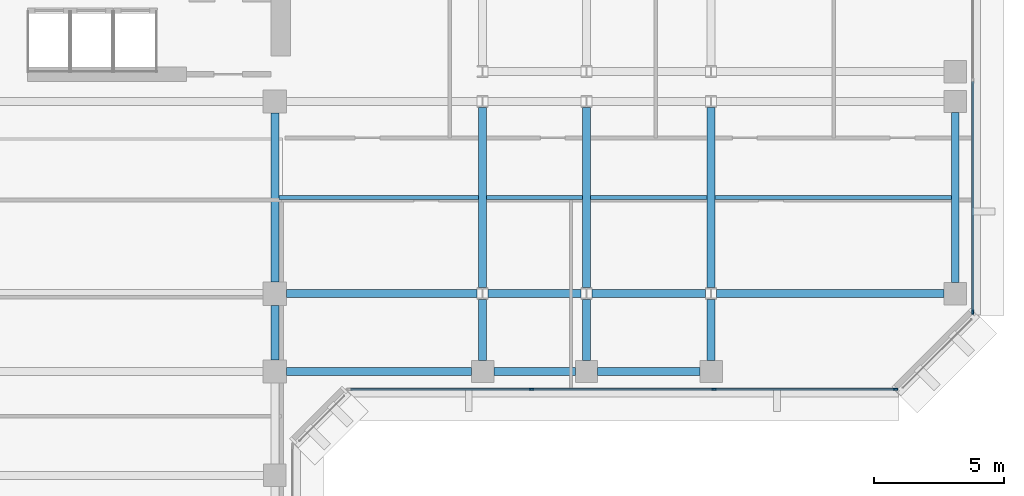
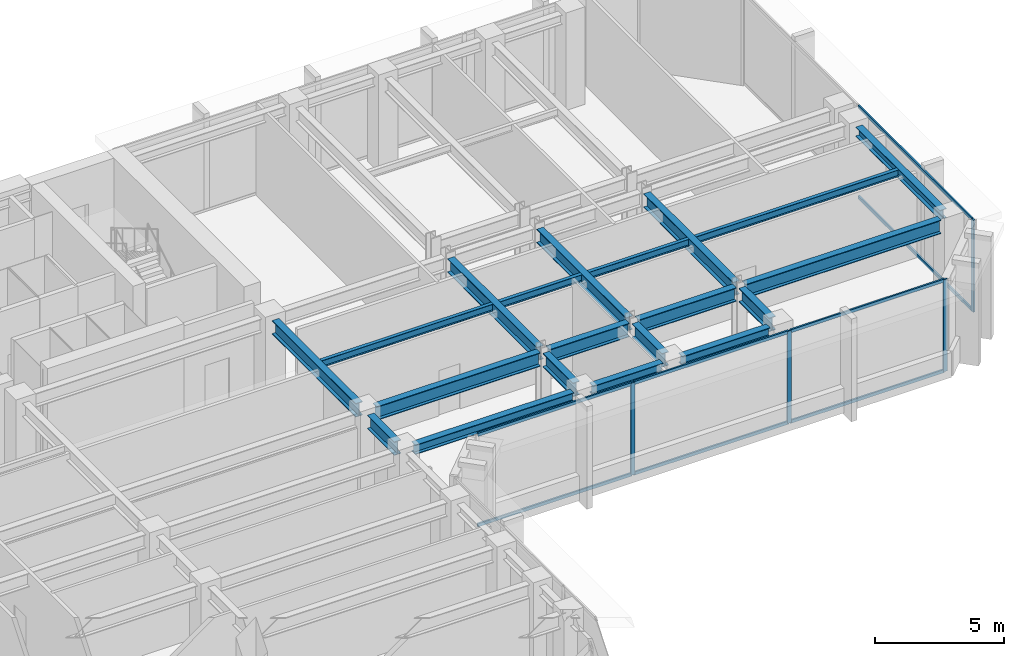
# One storey, part 3 of 13: 20 beams, 12 members, 2 elements without a shape of their own.
"""IFC4 building model written with IfcOpenShell, lengths in metres."""

from ifc_helpers import new_model, si_unit, direction, frame, origin, origin_2d, place, context, subcontext, project, spatial, rectangle, i_section, extrude, material, layer, layer_set, material_profile, profile_set, type_object, element, aggregate, save


model = new_model("IFC4")

# Units and contexts
model_context = context("Model", 3, precision=1e-05, world=origin(), true_north=direction((0.0, 1.0)))
body_context = subcontext(model_context, "Body", "Model", "MODEL_VIEW")
ifc_project = project(units=[si_unit("LENGTHUNIT", "METRE"), si_unit("AREAUNIT", "SQUARE_METRE"), si_unit("VOLUMEUNIT", "CUBIC_METRE"), si_unit("PLANEANGLEUNIT", "RADIAN"), si_unit("MASSUNIT", "GRAM", prefix="KILO")], contexts=[model_context])

# Site, building, storey
site_placement = place(None, origin())
site = spatial("IfcSite", under=ifc_project, at=site_placement, CompositionType="ELEMENT")
building_placement = place(site_placement, origin())
building = spatial("IfcBuilding", under=site, at=building_placement, Name="Kefirva Bronze Tower", CompositionType="ELEMENT")
storey_placement = place(building_placement, frame((0.0, 0.0, 130.35009765625)))
storey = spatial("IfcBuildingStorey", under=building, at=storey_placement, Name="L31", CompositionType="ELEMENT", Elevation=130.35009765625)

# Curtain wall, members
ifc_material_1 = material(Name="Bronze anodised aluminium", Category="aluminium")
ifc_layer = layer(ifc_material_1, 0.199951171875, Name="Bronze anodised aluminium")
ifc_layer_set = layer_set([ifc_layer], Name="Bronze anodised aluminium")
curtain_wall_type = type_object("IfcCurtainWallType", Name="Unitised Bronze Ribbon Curtain Wall Zone 2", PredefinedType="USERDEFINED", material=ifc_layer_set)
curtain_wall_1_placement = place(storey_placement, origin())
curtain_wall_1 = element("IfcCurtainWall", 1, at=curtain_wall_1_placement, inside=storey, type_object=curtain_wall_type, Name="L31 Curtain Wall 2", ObjectType="UNITISED CURTAIN WALL", PredefinedType="USERDEFINED")
ifc_material_profile_1 = material_profile(ifc_material_1, rectangle(XDim=0.074951171875, YDim=0.179931640625, at=origin_2d()), Name="ALU 75x180")
ifc_profile_set_1 = profile_set([ifc_material_profile_1], Name="Bronze anodised aluminium")
member_type_1 = type_object("IfcMemberType", Name="Bronze Mullion 75x180", PredefinedType="MULLION", material=ifc_profile_set_1)
member_1_placement = place(storey_placement, frame((33.0849609375, 22.1201171875, 0.0), z_axis=(0.0, 0.0, 1.0), x_axis=(0.0, 1.0, 0.0)))
member_1 = element("IfcMember", 2, at=member_1_placement, type_object=member_type_1, Name="CW-02 mullion 2", PredefinedType="MULLION", context=body_context, shape_type="SweptSolid", body=[
    extrude(rectangle(XDim=0.074951171875, YDim=0.179931640625, at=origin_2d()), origin(), (0.0, 0.0, 1.0), 4.369873046875),
])
member_2_placement = place(storey_placement, frame((40.114990234375, 22.1201171875, 0.0), z_axis=(0.0, 0.0, 1.0), x_axis=(0.0, 1.0, 0.0)))
member_2 = element("IfcMember", 3, at=member_2_placement, type_object=member_type_1, Name="CW-02 mullion 3", PredefinedType="MULLION", context=body_context, shape_type="SweptSolid", body=[
    extrude(rectangle(XDim=0.074951171875, YDim=0.179931640625, at=origin_2d()), origin(), (0.0, 0.0, 1.0), 4.369873046875),
])
member_3_placement = place(storey_placement, frame((47.107421875, 22.1201171875, 0.0), z_axis=(0.0, 0.0, 1.0), x_axis=(0.0, 1.0, 0.0)))
member_3 = element("IfcMember", 4, at=member_3_placement, type_object=member_type_1, Name="CW-02 mullion 4", PredefinedType="MULLION", context=body_context, shape_type="SweptSolid", body=[
    extrude(rectangle(XDim=0.074951171875, YDim=0.179931640625, at=origin_2d()), origin(), (0.0, 0.0, 1.0), 4.369873046875),
])

# Curtain wall, member
curtain_wall_2_placement = place(storey_placement, origin())
curtain_wall_2 = element("IfcCurtainWall", 5, at=curtain_wall_2_placement, inside=storey, type_object=curtain_wall_type, Name="L31 Curtain Wall 3", ObjectType="UNITISED CURTAIN WALL", PredefinedType="USERDEFINED")
member_4_placement = place(storey_placement, frame((50.080078125, 25.092529296875, 0.0), z_axis=(0.0, 0.0, 1.0), x_axis=(-1.0, 0.0, 0.0)))
member_4 = element("IfcMember", 6, at=member_4_placement, type_object=member_type_1, Name="CW-02 mullion 1", PredefinedType="MULLION", context=body_context, shape_type="SweptSolid", body=[
    extrude(rectangle(XDim=0.074951171875, YDim=0.179931640625, at=origin_2d()), origin(), (0.0, 0.0, 1.0), 4.369873046875),
])

# Member
ifc_material_profile_2 = material_profile(ifc_material_1, rectangle(XDim=0.074951171875, YDim=0.14990234375, at=origin_2d()), Name="ALU 75x150")
ifc_profile_set_2 = profile_set([ifc_material_profile_2], Name="Bronze anodised aluminium")
member_type_2 = type_object("IfcMemberType", Name="Bronze Transom 75x150", PredefinedType="USERDEFINED", material=ifc_profile_set_2)
member_5_placement = place(storey_placement, frame((26.1298828125, 22.1201171875, 0.037353515625), z_axis=(1.0, 0.0, 0.0), x_axis=(0.0, 1.0, 0.0)))
member_5 = element("IfcMember", 7, at=member_5_placement, type_object=member_type_2, Name="CW-02 transom 1.1", ObjectType="TRANSOM", PredefinedType="USERDEFINED", context=body_context, shape_type="SweptSolid", body=[
    extrude(rectangle(XDim=0.074951171875, YDim=0.14990234375, at=origin_2d()), origin(), (0.0, 0.0, 1.0), 6.917724609375),
])

member_6_placement = place(storey_placement, frame((26.1298828125, 22.1201171875, 4.33251953125), z_axis=(1.0, 0.0, 0.0), x_axis=(0.0, 1.0, 0.0)))
member_6 = element("IfcMember", 8, at=member_6_placement, type_object=member_type_2, Name="CW-02 transom 1.2", ObjectType="TRANSOM", PredefinedType="USERDEFINED", context=body_context, shape_type="SweptSolid", body=[
    extrude(rectangle(XDim=0.074951171875, YDim=0.14990234375, at=origin_2d()), origin(), (0.0, 0.0, 1.0), 6.917724609375),
])

member_7_placement = place(storey_placement, frame((33.12255859375, 22.1201171875, 0.037353515625), z_axis=(1.0, 0.0, 0.0), x_axis=(0.0, 1.0, 0.0)))
member_7 = element("IfcMember", 9, at=member_7_placement, type_object=member_type_2, Name="CW-02 transom 2.1", ObjectType="TRANSOM", PredefinedType="USERDEFINED", context=body_context, shape_type="SweptSolid", body=[
    extrude(rectangle(XDim=0.074951171875, YDim=0.14990234375, at=origin_2d()), origin(), (0.0, 0.0, 1.0), 6.954833984375),
])

member_8_placement = place(storey_placement, frame((33.12255859375, 22.1201171875, 4.33251953125), z_axis=(1.0, 0.0, 0.0), x_axis=(0.0, 1.0, 0.0)))
member_8 = element("IfcMember", 10, at=member_8_placement, type_object=member_type_2, Name="CW-02 transom 2.2", ObjectType="TRANSOM", PredefinedType="USERDEFINED", context=body_context, shape_type="SweptSolid", body=[
    extrude(rectangle(XDim=0.074951171875, YDim=0.14990234375, at=origin_2d()), origin(), (0.0, 0.0, 1.0), 6.954833984375),
])

member_9_placement = place(storey_placement, frame((40.152587890625, 22.1201171875, 0.037353515625), z_axis=(1.0, 0.0, 0.0), x_axis=(0.0, 1.0, 0.0)))
member_9 = element("IfcMember", 11, at=member_9_placement, type_object=member_type_2, Name="CW-02 transom 3.1", ObjectType="TRANSOM", PredefinedType="USERDEFINED", context=body_context, shape_type="SweptSolid", body=[
    extrude(rectangle(XDim=0.074951171875, YDim=0.14990234375, at=origin_2d()), origin(), (0.0, 0.0, 1.0), 6.91748046875),
])

member_10_placement = place(storey_placement, frame((40.152587890625, 22.1201171875, 4.33251953125), z_axis=(1.0, 0.0, 0.0), x_axis=(0.0, 1.0, 0.0)))
member_10 = element("IfcMember", 12, at=member_10_placement, type_object=member_type_2, Name="CW-02 transom 3.2", ObjectType="TRANSOM", PredefinedType="USERDEFINED", context=body_context, shape_type="SweptSolid", body=[
    extrude(rectangle(XDim=0.074951171875, YDim=0.14990234375, at=origin_2d()), origin(), (0.0, 0.0, 1.0), 6.91748046875),
])

aggregate(curtain_wall_1, [member_1, member_2, member_3, member_5, member_6, member_7, member_8, member_9, member_10])

member_11_placement = place(storey_placement, frame((50.080078125, 25.1298828125, 0.037353515625), z_axis=(0.0, 1.0, 0.0), x_axis=(-1.0, 0.0, 0.0)))
member_11 = element("IfcMember", 13, at=member_11_placement, type_object=member_type_2, Name="CW-02 transom 1.1", ObjectType="TRANSOM", PredefinedType="USERDEFINED", context=body_context, shape_type="SweptSolid", body=[
    extrude(rectangle(XDim=0.074951171875, YDim=0.14990234375, at=origin_2d()), origin(), (0.0, 0.0, 1.0), 8.83251953125),
])

member_12_placement = place(storey_placement, frame((50.080078125, 25.1298828125, 4.33251953125), z_axis=(0.0, 1.0, 0.0), x_axis=(-1.0, 0.0, 0.0)))
member_12 = element("IfcMember", 14, at=member_12_placement, type_object=member_type_2, Name="CW-02 transom 1.2", ObjectType="TRANSOM", PredefinedType="USERDEFINED", context=body_context, shape_type="SweptSolid", body=[
    extrude(rectangle(XDim=0.074951171875, YDim=0.14990234375, at=origin_2d()), origin(), (0.0, 0.0, 1.0), 8.83251953125),
])

aggregate(curtain_wall_2, [member_4, member_11, member_12])

# Beams
ifc_material_2 = material(Name="Steel S355", Category="steel")
ifc_material_profile_3 = material_profile(ifc_material_2, i_section(OverallWidth=0.159912109375, OverallDepth=0.330078125, WebThickness=0.007568359375, FlangeThickness=0.011474609375, at=origin_2d()), Name="IPE 330")
ifc_profile_set_3 = profile_set([ifc_material_profile_3], Name="Steel S355")
beam_type_1 = type_object("IfcBeamType", Name="Steel Floor Joist IPE 330", PredefinedType="JOIST", material=ifc_profile_set_3)
beam_1_placement = place(storey_placement, frame((23.35009765625, 29.5, 4.204833984375), z_axis=(1.0, 0.0, 0.0), x_axis=(0.0, 1.0, 0.0)))
element("IfcBeam", 15, at=beam_1_placement, inside=storey, type_object=beam_type_1, Name="L31 JST-L31-23-295", PredefinedType="JOIST", context=body_context, shape_type="SweptSolid", body=[
    extrude(i_section(OverallWidth=0.159912109375, OverallDepth=0.330078125, WebThickness=0.007568359375, FlangeThickness=0.011474609375, at=origin_2d()), origin(), (0.0, 0.0, 1.0), 7.699951171875),
])
beam_2_placement = place(storey_placement, frame((31.35009765625, 29.5, 4.204833984375), z_axis=(1.0, 0.0, 0.0), x_axis=(0.0, 1.0, 0.0)))
element("IfcBeam", 16, at=beam_2_placement, inside=storey, type_object=beam_type_1, Name="L31 JST-L31-31-295", PredefinedType="JOIST", context=body_context, shape_type="SweptSolid", body=[
    extrude(i_section(OverallWidth=0.159912109375, OverallDepth=0.330078125, WebThickness=0.007568359375, FlangeThickness=0.011474609375, at=origin_2d()), origin(), (0.0, 0.0, 1.0), 3.699951171875),
])
beam_3_placement = place(storey_placement, frame((35.35009765625, 29.5, 4.204833984375), z_axis=(1.0, 0.0, 0.0), x_axis=(0.0, 1.0, 0.0)))
element("IfcBeam", 17, at=beam_3_placement, inside=storey, type_object=beam_type_1, Name="L31 JST-L31-35-295", PredefinedType="JOIST", context=body_context, shape_type="SweptSolid", body=[
    extrude(i_section(OverallWidth=0.159912109375, OverallDepth=0.330078125, WebThickness=0.007568359375, FlangeThickness=0.011474609375, at=origin_2d()), origin(), (0.0, 0.0, 1.0), 4.5),
])
beam_4_placement = place(storey_placement, frame((40.14990234375, 29.5, 4.204833984375), z_axis=(1.0, 0.0, 0.0), x_axis=(0.0, 1.0, 0.0)))
element("IfcBeam", 18, at=beam_4_placement, inside=storey, type_object=beam_type_1, Name="L31 JST-L31-40-295", PredefinedType="JOIST", context=body_context, shape_type="SweptSolid", body=[
    extrude(i_section(OverallWidth=0.159912109375, OverallDepth=0.330078125, WebThickness=0.007568359375, FlangeThickness=0.011474609375, at=origin_2d()), origin(), (0.0, 0.0, 1.0), 9.10009765625),
])
ifc_material_profile_4 = material_profile(ifc_material_2, i_section(OverallWidth=0.300048828125, OverallDepth=0.64990234375, WebThickness=0.01611328125, FlangeThickness=0.031005859375, at=origin_2d()), Name="HEB 650")
ifc_profile_set_4 = profile_set([ifc_material_profile_4], Name="Steel S355")
beam_type_2 = type_object("IfcBeamType", Name="Steel Girder HEB 650", PredefinedType="USERDEFINED", material=ifc_profile_set_4)
beam_5_placement = place(storey_placement, frame((23.64990234375, 25.800048828125, 4.044921875), z_axis=(1.0, 0.0, 0.0), x_axis=(0.0, 1.0, 0.0)))
element("IfcBeam", 19, at=beam_5_placement, inside=storey, type_object=beam_type_2, Name="L31 BM-L31-EW-23-258", ObjectType="GIRDER", PredefinedType="USERDEFINED", context=body_context, shape_type="SweptSolid", body=[
    extrude(i_section(OverallWidth=0.300048828125, OverallDepth=0.64990234375, WebThickness=0.01611328125, FlangeThickness=0.031005859375, at=origin_2d()), origin(), (0.0, 0.0, 1.0), 7.341064453125),
])
beam_6_placement = place(storey_placement, frame((31.408935546875, 25.800048828125, 4.044921875), z_axis=(1.0, 0.0, 0.0), x_axis=(0.0, 1.0, 0.0)))
element("IfcBeam", 20, at=beam_6_placement, inside=storey, type_object=beam_type_2, Name="L31 BM-L31-EW-31-258", ObjectType="GIRDER", PredefinedType="USERDEFINED", context=body_context, shape_type="SweptSolid", body=[
    extrude(i_section(OverallWidth=0.300048828125, OverallDepth=0.64990234375, WebThickness=0.01611328125, FlangeThickness=0.031005859375, at=origin_2d()), origin(), (0.0, 0.0, 1.0), 3.58203125),
])
beam_7_placement = place(storey_placement, frame((35.408935546875, 25.800048828125, 4.044921875), z_axis=(1.0, 0.0, 0.0), x_axis=(0.0, 1.0, 0.0)))
element("IfcBeam", 21, at=beam_7_placement, inside=storey, type_object=beam_type_2, Name="L31 BM-L31-EW-35-258", ObjectType="GIRDER", PredefinedType="USERDEFINED", context=body_context, shape_type="SweptSolid", body=[
    extrude(i_section(OverallWidth=0.300048828125, OverallDepth=0.64990234375, WebThickness=0.01611328125, FlangeThickness=0.031005859375, at=origin_2d()), origin(), (0.0, 0.0, 1.0), 4.382080078125),
])
beam_8_placement = place(storey_placement, frame((40.208984375, 25.800048828125, 4.044921875), z_axis=(1.0, 0.0, 0.0), x_axis=(0.0, 1.0, 0.0)))
element("IfcBeam", 22, at=beam_8_placement, inside=storey, type_object=beam_type_2, Name="L31 BM-L31-EW-40-258", ObjectType="GIRDER", PredefinedType="USERDEFINED", context=body_context, shape_type="SweptSolid", body=[
    extrude(i_section(OverallWidth=0.300048828125, OverallDepth=0.64990234375, WebThickness=0.01611328125, FlangeThickness=0.031005859375, at=origin_2d()), origin(), (0.0, 0.0, 1.0), 8.760986328125),
])
beam_9_placement = place(storey_placement, frame((23.199951171875, 23.25, 4.044921875), z_axis=(0.0, 1.0, 0.0), x_axis=(-1.0, 0.0, 0.0)))
element("IfcBeam", 23, at=beam_9_placement, inside=storey, type_object=beam_type_2, Name="L31 BM-L31-NS-232-22", ObjectType="GIRDER", PredefinedType="USERDEFINED", context=body_context, shape_type="SweptSolid", body=[
    extrude(i_section(OverallWidth=0.300048828125, OverallDepth=0.64990234375, WebThickness=0.01611328125, FlangeThickness=0.031005859375, at=origin_2d()), origin(), (0.0, 0.0, 1.0), 2.10009765625),
])
beam_10_placement = place(storey_placement, frame((23.199951171875, 26.25, 4.044921875), z_axis=(0.0, 1.0, 0.0), x_axis=(-1.0, 0.0, 0.0)))
element("IfcBeam", 24, at=beam_10_placement, inside=storey, type_object=beam_type_2, Name="L31 BM-L31-NS-232-25", ObjectType="GIRDER", PredefinedType="USERDEFINED", context=body_context, shape_type="SweptSolid", body=[
    extrude(i_section(OverallWidth=0.300048828125, OverallDepth=0.64990234375, WebThickness=0.01611328125, FlangeThickness=0.031005859375, at=origin_2d()), origin(), (0.0, 0.0, 1.0), 6.5),
])
beam_11_placement = place(storey_placement, frame((31.199951171875, 23.22998046875, 4.044921875), z_axis=(0.0, 1.0, 0.0), x_axis=(-1.0, 0.0, 0.0)))
element("IfcBeam", 25, at=beam_11_placement, inside=storey, type_object=beam_type_2, Name="L31 BM-L31-NS-312-22", ObjectType="GIRDER", PredefinedType="USERDEFINED", context=body_context, shape_type="SweptSolid", body=[
    extrude(i_section(OverallWidth=0.300048828125, OverallDepth=0.64990234375, WebThickness=0.01611328125, FlangeThickness=0.031005859375, at=origin_2d()), origin(), (0.0, 0.0, 1.0), 2.342529296875),
])
beam_12_placement = place(storey_placement, frame((31.199951171875, 26.027587890625, 4.044921875), z_axis=(0.0, 1.0, 0.0), x_axis=(-1.0, 0.0, 0.0)))
element("IfcBeam", 26, at=beam_12_placement, inside=storey, type_object=beam_type_2, Name="L31 BM-L31-NS-312-25", ObjectType="GIRDER", PredefinedType="USERDEFINED", context=body_context, shape_type="SweptSolid", body=[
    extrude(i_section(OverallWidth=0.300048828125, OverallDepth=0.64990234375, WebThickness=0.01611328125, FlangeThickness=0.031005859375, at=origin_2d()), origin(), (0.0, 0.0, 1.0), 6.94482421875),
])
beam_13_placement = place(storey_placement, frame((35.199951171875, 23.22998046875, 4.044921875), z_axis=(0.0, 1.0, 0.0), x_axis=(-1.0, 0.0, 0.0)))
element("IfcBeam", 27, at=beam_13_placement, inside=storey, type_object=beam_type_2, Name="L31 BM-L31-NS-352-22", ObjectType="GIRDER", PredefinedType="USERDEFINED", context=body_context, shape_type="SweptSolid", body=[
    extrude(i_section(OverallWidth=0.300048828125, OverallDepth=0.64990234375, WebThickness=0.01611328125, FlangeThickness=0.031005859375, at=origin_2d()), origin(), (0.0, 0.0, 1.0), 2.342529296875),
])
beam_14_placement = place(storey_placement, frame((35.199951171875, 26.027587890625, 4.044921875), z_axis=(0.0, 1.0, 0.0), x_axis=(-1.0, 0.0, 0.0)))
element("IfcBeam", 28, at=beam_14_placement, inside=storey, type_object=beam_type_2, Name="L31 BM-L31-NS-352-25", ObjectType="GIRDER", PredefinedType="USERDEFINED", context=body_context, shape_type="SweptSolid", body=[
    extrude(i_section(OverallWidth=0.300048828125, OverallDepth=0.64990234375, WebThickness=0.01611328125, FlangeThickness=0.031005859375, at=origin_2d()), origin(), (0.0, 0.0, 1.0), 6.94482421875),
])
beam_15_placement = place(storey_placement, frame((40.0, 23.22998046875, 4.044921875), z_axis=(0.0, 1.0, 0.0), x_axis=(-1.0, 0.0, 0.0)))
element("IfcBeam", 29, at=beam_15_placement, inside=storey, type_object=beam_type_2, Name="L31 BM-L31-NS-400-22", ObjectType="GIRDER", PredefinedType="USERDEFINED", context=body_context, shape_type="SweptSolid", body=[
    extrude(i_section(OverallWidth=0.300048828125, OverallDepth=0.64990234375, WebThickness=0.01611328125, FlangeThickness=0.031005859375, at=origin_2d()), origin(), (0.0, 0.0, 1.0), 2.342529296875),
])
beam_16_placement = place(storey_placement, frame((40.0, 26.027587890625, 4.044921875), z_axis=(0.0, 1.0, 0.0), x_axis=(-1.0, 0.0, 0.0)))
element("IfcBeam", 30, at=beam_16_placement, inside=storey, type_object=beam_type_2, Name="L31 BM-L31-NS-400-25", ObjectType="GIRDER", PredefinedType="USERDEFINED", context=body_context, shape_type="SweptSolid", body=[
    extrude(i_section(OverallWidth=0.300048828125, OverallDepth=0.64990234375, WebThickness=0.01611328125, FlangeThickness=0.031005859375, at=origin_2d()), origin(), (0.0, 0.0, 1.0), 6.94482421875),
])
ifc_material_profile_5 = material_profile(ifc_material_2, i_section(OverallWidth=0.300048828125, OverallDepth=0.449951171875, WebThickness=0.013916015625, FlangeThickness=0.02587890625, at=origin_2d()), Name="HEB 450")
ifc_profile_set_5 = profile_set([ifc_material_profile_5], Name="Steel S355")
beam_type_3 = type_object("IfcBeamType", Name="Steel Spandrel HEB 450 Ext", PredefinedType="SPANDREL", material=ifc_profile_set_5)
beam_17_placement = place(storey_placement, frame((23.64990234375, 22.800048828125, 4.14501953125), z_axis=(1.0, 0.0, 0.0), x_axis=(0.0, 1.0, 0.0)))
element("IfcBeam", 31, at=beam_17_placement, inside=storey, type_object=beam_type_3, Name="L31 BM-L31-EW-23-228", PredefinedType="SPANDREL", context=body_context, shape_type="SweptSolid", body=[
    extrude(i_section(OverallWidth=0.300048828125, OverallDepth=0.449951171875, WebThickness=0.013916015625, FlangeThickness=0.02587890625, at=origin_2d()), origin(), (0.0, 0.0, 1.0), 7.1201171875),
])
beam_18_placement = place(storey_placement, frame((31.6298828125, 22.800048828125, 4.14501953125), z_axis=(1.0, 0.0, 0.0), x_axis=(0.0, 1.0, 0.0)))
element("IfcBeam", 32, at=beam_18_placement, inside=storey, type_object=beam_type_3, Name="L31 BM-L31-EW-31-228", PredefinedType="SPANDREL", context=body_context, shape_type="SweptSolid", body=[
    extrude(i_section(OverallWidth=0.300048828125, OverallDepth=0.449951171875, WebThickness=0.013916015625, FlangeThickness=0.02587890625, at=origin_2d()), origin(), (0.0, 0.0, 1.0), 3.14013671875),
])
beam_19_placement = place(storey_placement, frame((35.6298828125, 22.800048828125, 4.14501953125), z_axis=(1.0, 0.0, 0.0), x_axis=(0.0, 1.0, 0.0)))
element("IfcBeam", 33, at=beam_19_placement, inside=storey, type_object=beam_type_3, Name="L31 BM-L31-EW-35-228", PredefinedType="SPANDREL", context=body_context, shape_type="SweptSolid", body=[
    extrude(i_section(OverallWidth=0.300048828125, OverallDepth=0.449951171875, WebThickness=0.013916015625, FlangeThickness=0.02587890625, at=origin_2d()), origin(), (0.0, 0.0, 1.0), 3.940185546875),
])
beam_20_placement = place(storey_placement, frame((49.39990234375, 26.22998046875, 4.14501953125), z_axis=(0.0, 1.0, 0.0), x_axis=(-1.0, 0.0, 0.0)))
element("IfcBeam", 34, at=beam_20_placement, inside=storey, type_object=beam_type_3, Name="L31 BM-L31-NS-494-25", PredefinedType="SPANDREL", context=body_context, shape_type="SweptSolid", body=[
    extrude(i_section(OverallWidth=0.300048828125, OverallDepth=0.449951171875, WebThickness=0.013916015625, FlangeThickness=0.02587890625, at=origin_2d()), origin(), (0.0, 0.0, 1.0), 6.5400390625),
])

save(model, "model.ifc")
